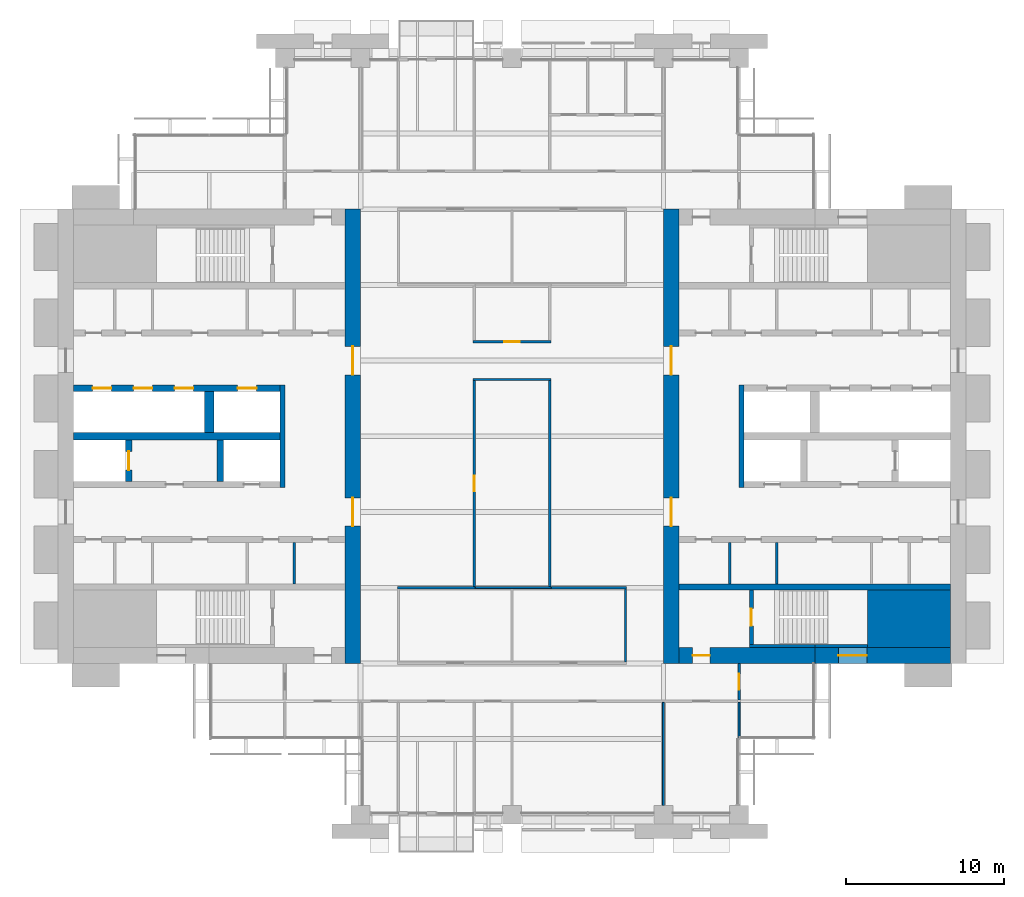
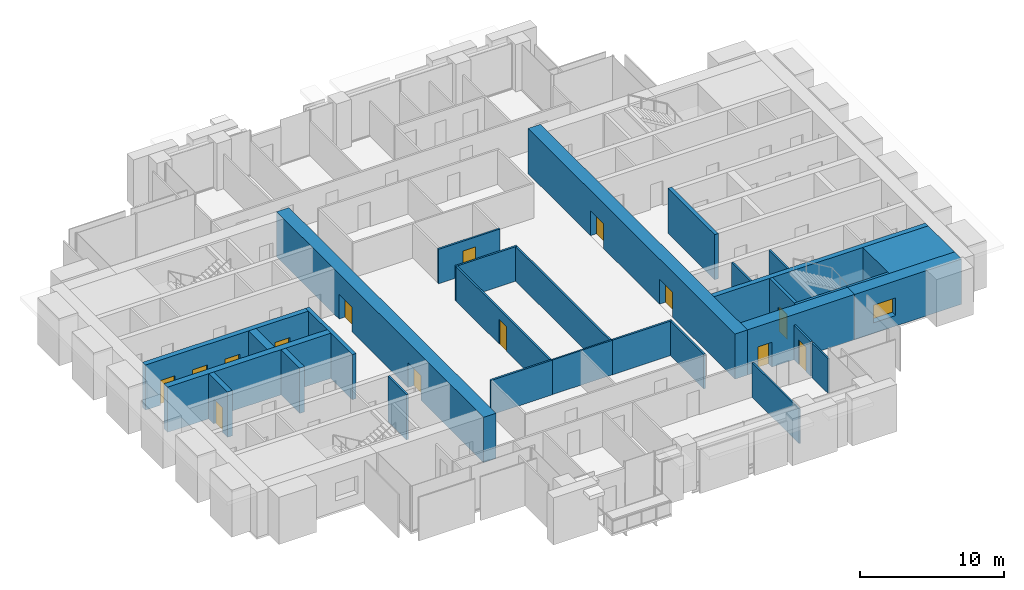
# One storey, part 10 of 15: 30 walls, 14 doors, 1 window, 15 openings.
"""IFC4 building model written with IfcOpenShell, lengths in metres."""

from ifc_helpers import new_model, si_unit, direction, frame, frame_2d, origin, place, context, subcontext, project, spatial, rectangle, extrude, material, layer, layer_set, type_object, element, fill, save


model = new_model("IFC4")

# Units and contexts
model_context = context("Model", 3, precision=1e-05, world=origin(), true_north=direction((0.0, 1.0)))
body_context = subcontext(model_context, "Body", "Model", "MODEL_VIEW")
ifc_project = project(units=[si_unit("LENGTHUNIT", "METRE"), si_unit("AREAUNIT", "SQUARE_METRE"), si_unit("VOLUMEUNIT", "CUBIC_METRE"), si_unit("PLANEANGLEUNIT", "RADIAN"), si_unit("MASSUNIT", "GRAM", prefix="KILO")], contexts=[model_context])

# Site, building, storey
site_placement = place(None, origin())
site = spatial("IfcSite", under=ifc_project, at=site_placement, CompositionType="ELEMENT")
building_placement = place(site_placement, origin())
building = spatial("IfcBuilding", under=site, at=building_placement, Name="Baori Bourse Tower", CompositionType="ELEMENT")
storey_placement = place(building_placement, frame((0.0, 0.0, 152.10009765625)))
storey = spatial("IfcBuildingStorey", under=building, at=storey_placement, Name="L33", CompositionType="ELEMENT", Elevation=152.10009765625)

# Walls
ifc_material_1 = material(Name="Concrete f'c 60 MPa", Category="concrete")
wall_type_1 = type_object("IfcWallType", Name="Core corner block f'c 60", PredefinedType="SHEAR", material=ifc_material_1)
wall_1_placement = place(storey_placement, frame((51.35009765625, 12.425048828125, 0.0), z_axis=(0.0, 0.0, 1.0), x_axis=(1.0, 0.0, 0.0)))
element("IfcWall", 1, at=wall_1_placement, inside=storey, type_object=wall_type_1, Name="Core wall E05", PredefinedType="SHEAR", context=body_context, shape_type="SweptSolid", body=[
    extrude(rectangle(XDim=5.25, YDim=3.64990234375, at=frame_2d((2.625, 0.0))), origin(), (0.0, 0.0, 1.0), 3.83984375),
])
ifc_material_2 = material(Name="Blockwork partition", Category="masonry")
ifc_layer_1 = layer(ifc_material_2, 0.14990234375)
ifc_layer_set_1 = layer_set([ifc_layer_1], Name="Core partition 150")
wall_type_2 = type_object("IfcWallType", Name="Core partition 150", PredefinedType="PARTITIONING", material=ifc_layer_set_1)
for number, where, z_axis, x_axis, name in (
    (2, (15.0, 14.64990234375, 0.0), (0.0, 0.0, 1.0), (0.0, 1.0, 0.0), "Partition wall W13"),
    (3, (45.60009765625, 14.64990234375, 0.0), (0.0, 0.0, 1.0), (0.0, 1.0, 0.0), "Partition wall E12"),
    (4, (42.60009765625, 14.64990234375, 0.0), (0.0, 0.0, 1.0), (0.0, 1.0, 0.0), "Partition wall E13"),
):
    element("IfcWall", number, at=place(storey_placement, frame(where, z_axis=z_axis, x_axis=x_axis)), inside=storey, type_object=wall_type_2, Name=name, PredefinedType="PARTITIONING", context=body_context, shape_type="SweptSolid", body=[
        extrude(rectangle(XDim=2.60009765625, YDim=0.14990234375, at=frame_2d((1.300048828125, 0.0))), origin(), (0.0, 0.0, 1.0), 3.83984375),
    ])

# Wall, openings, doors
ifc_material_3 = material(Name="Concrete f'c 60 MPa", Category="concrete")
ifc_layer_2 = layer(ifc_material_3, 1.0)
ifc_layer_set_2 = layer_set([ifc_layer_2], Name="Core wall 1000 f'c 60")
wall_type_3 = type_object("IfcWallType", Name="Core wall 1000 f'c 60", PredefinedType="SHEAR", material=ifc_layer_set_2)
wall_2_placement = place(storey_placement, frame((18.699951171875, 38.39990234375, 0.0), z_axis=(0.0, 0.0, 1.0), x_axis=(0.0, -1.0, 0.0)))
wall_2 = element("IfcWall", 5, at=wall_2_placement, inside=storey, type_object=wall_type_3, Name="Core wall W04", PredefinedType="SHEAR", context=body_context, shape_type="SweptSolid", body=[
    extrude(rectangle(XDim=28.7998046875, YDim=1.0, at=frame_2d((14.39990234375, 0.0))), origin(), (0.0, 0.0, 1.0), 3.83984375),
])
opening_1_placement = place(wall_2_placement, frame((18.300048828125, 0.0, 0.0)))
opening_1 = element("IfcOpeningElement", 6, at=opening_1_placement, cuts=wall_2, Name="Opening L33-D107", PredefinedType="OPENING", context=body_context, shape_type="SweptSolid", body=[
    extrude(rectangle(XDim=1.800048828125, YDim=2.10009765625, at=frame_2d((0.89990234375, 1.050048828125))), frame((0.0, 0.510009765625, 0.0), z_axis=(0.0, -1.0, 0.0), x_axis=(1.0, 0.0, 0.0)), (0.0, 0.0, 1.0), 1.02001953125),
])
opening_2_placement = place(wall_2_placement, frame((8.699951171875, 0.0, 0.0)))
opening_2 = element("IfcOpeningElement", 7, at=opening_2_placement, cuts=wall_2, Name="Opening L33-D108", PredefinedType="OPENING", context=body_context, shape_type="SweptSolid", body=[
    extrude(rectangle(XDim=1.800048828125, YDim=2.10009765625, at=frame_2d((0.89990234375, 1.050048828125))), frame((0.0, 0.510009765625, 0.0), z_axis=(0.0, -1.0, 0.0), x_axis=(1.0, 0.0, 0.0)), (0.0, 0.0, 1.0), 1.02001953125),
])
ifc_material_4 = material(Name="Painted steel door", Category="steel")
door_type_1 = type_object("IfcDoorType", Name="Core lobby door 1800", OperationType="DOUBLE_DOOR_SINGLE_SWING", PredefinedType="DOOR", material=ifc_material_4)
door_1_placement = place(opening_1_placement, origin())
door_1 = element("IfcDoor", 8, at=door_1_placement, inside=storey, type_object=door_type_1, Name="Lobby door W L33", OperationType="DOUBLE_DOOR_SINGLE_SWING", OverallHeight=2.10009765625, OverallWidth=1.800048828125, PredefinedType="DOOR", context=body_context, shape_type="SweptSolid", body=[
    extrude(rectangle(XDim=1.800048828125, YDim=2.10009765625, at=frame_2d((0.89990234375, 1.050048828125))), frame((0.0, 0.02490234375, 0.0), z_axis=(0.0, -1.0, 0.0), x_axis=(1.0, 0.0, 0.0)), (0.0, 0.0, 1.0), 0.050048828125),
])
fill(opening_1, door_1)
door_2_placement = place(opening_2_placement, origin())
door_2 = element("IfcDoor", 9, at=door_2_placement, inside=storey, type_object=door_type_1, Name="Lobby door W L33", OperationType="DOUBLE_DOOR_SINGLE_SWING", OverallHeight=2.10009765625, OverallWidth=1.800048828125, PredefinedType="DOOR", context=body_context, shape_type="SweptSolid", body=[
    extrude(rectangle(XDim=1.800048828125, YDim=2.10009765625, at=frame_2d((0.89990234375, 1.050048828125))), frame((0.0, 0.02490234375, 0.0), z_axis=(0.0, -1.0, 0.0), x_axis=(1.0, 0.0, 0.0)), (0.0, 0.0, 1.0), 0.050048828125),
])
fill(opening_2, door_2)

# Wall, opening, window
wall_3_placement = place(storey_placement, frame((56.60009765625, 10.10009765625, 0.0), z_axis=(0.0, 0.0, 1.0), x_axis=(-1.0, 0.0, 0.0)))
wall_3 = element("IfcWall", 10, at=wall_3_placement, inside=storey, type_object=wall_type_3, Name="Core wall E02", PredefinedType="SHEAR", context=body_context, shape_type="SweptSolid", body=[
    extrude(rectangle(XDim=8.60009765625, YDim=1.0, at=frame_2d((4.300048828125, 0.0))), origin(), (0.0, 0.0, 1.0), 3.83984375),
])
opening_3_placement = place(wall_3_placement, frame((5.300048828125, 0.0, 0.89990234375)))
opening_3 = element("IfcOpeningElement", 11, at=opening_3_placement, cuts=wall_3, Name="Opening L33-KW203", PredefinedType="OPENING", context=body_context, shape_type="SweptSolid", body=[
    extrude(rectangle(XDim=1.800048828125, YDim=1.5, at=frame_2d((0.89990234375, 0.75))), frame((0.0, 0.510009765625, 0.0), z_axis=(0.0, -1.0, 0.0), x_axis=(1.0, 0.0, 0.0)), (0.0, 0.0, 1.0), 1.02001953125),
])
ifc_material_5 = material(Name="Pale anodised aluminium", Category="aluminium")
window_type = type_object("IfcWindowType", Name="Stair window 1800 x 1500", PartitioningType="SINGLE_PANEL", PredefinedType="WINDOW", material=ifc_material_5)
window_placement = place(opening_3_placement, origin())
window = element("IfcWindow", 12, at=window_placement, inside=storey, type_object=window_type, Name="Stair window E L33 3", OverallHeight=1.5, OverallWidth=1.800048828125, PartitioningType="SINGLE_PANEL", PredefinedType="WINDOW", context=body_context, shape_type="SweptSolid", body=[
    extrude(rectangle(XDim=1.800048828125, YDim=1.5, at=frame_2d((0.89990234375, 0.75))), frame((0.0, 0.030029296875, 0.0), z_axis=(0.0, -1.0, 0.0), x_axis=(1.0, 0.0, 0.0)), (0.0, 0.0, 1.0), 0.06005859375),
])
fill(opening_3, window)

# Wall, opening, door
wall_4_placement = place(storey_placement, frame((48.0, 10.10009765625, 0.0), z_axis=(0.0, 0.0, 1.0), x_axis=(-1.0, 0.0, 0.0)))
wall_4 = element("IfcWall", 13, at=wall_4_placement, inside=storey, type_object=wall_type_3, Name="Core wall E03", PredefinedType="SHEAR", context=body_context, shape_type="SweptSolid", body=[
    extrude(rectangle(XDim=8.60009765625, YDim=1.0, at=frame_2d((4.300048828125, 0.0))), origin(), (0.0, 0.0, 1.0), 3.83984375),
])
opening_4_placement = place(wall_4_placement, frame((6.64990234375, 0.0, 0.0)))
opening_4 = element("IfcOpeningElement", 14, at=opening_4_placement, cuts=wall_4, Name="Opening L33-D202", PredefinedType="OPENING", context=body_context, shape_type="SweptSolid", body=[
    extrude(rectangle(XDim=1.10009765625, YDim=2.10009765625, at=frame_2d((0.550048828125, 1.050048828125))), frame((0.0, 0.510009765625, 0.0), z_axis=(0.0, -1.0, 0.0), x_axis=(1.0, 0.0, 0.0)), (0.0, 0.0, 1.0), 1.02001953125),
])
ifc_material_6 = material(Name="Painted steel door", Category="steel")
door_type_2 = type_object("IfcDoorType", Name="Stair door 1100", OperationType="SINGLE_SWING_LEFT", PredefinedType="DOOR", material=ifc_material_6)
door_3_placement = place(opening_4_placement, origin())
door_3 = element("IfcDoor", 15, at=door_3_placement, inside=storey, type_object=door_type_2, Name="Stair vestibule door A E L33", OperationType="SINGLE_SWING_LEFT", OverallHeight=2.10009765625, OverallWidth=1.10009765625, PredefinedType="DOOR", context=body_context, shape_type="SweptSolid", body=[
    extrude(rectangle(XDim=1.10009765625, YDim=2.10009765625, at=frame_2d((0.550048828125, 1.050048828125))), frame((0.0, 0.02490234375, 0.0), z_axis=(0.0, -1.0, 0.0), x_axis=(1.0, 0.0, 0.0)), (0.0, 0.0, 1.0), 0.050048828125),
])
fill(opening_4, door_3)

# Wall, openings, doors
wall_5_placement = place(storey_placement, frame((38.89990234375, 9.60009765625, 0.0), z_axis=(0.0, 0.0, 1.0), x_axis=(0.0, 1.0, 0.0)))
wall_5 = element("IfcWall", 16, at=wall_5_placement, inside=storey, type_object=wall_type_3, Name="Core wall E04", PredefinedType="SHEAR", context=body_context, shape_type="SweptSolid", body=[
    extrude(rectangle(XDim=28.7998046875, YDim=1.0, at=frame_2d((14.39990234375, 0.0))), origin(), (0.0, 0.0, 1.0), 3.83984375),
])
opening_5_placement = place(wall_5_placement, frame((8.699951171875, 0.0, 0.0)))
opening_5 = element("IfcOpeningElement", 17, at=opening_5_placement, cuts=wall_5, Name="Opening L33-D207", PredefinedType="OPENING", context=body_context, shape_type="SweptSolid", body=[
    extrude(rectangle(XDim=1.800048828125, YDim=2.10009765625, at=frame_2d((0.89990234375, 1.050048828125))), frame((0.0, 0.510009765625, 0.0), z_axis=(0.0, -1.0, 0.0), x_axis=(1.0, 0.0, 0.0)), (0.0, 0.0, 1.0), 1.02001953125),
])
opening_6_placement = place(wall_5_placement, frame((18.300048828125, 0.0, 0.0)))
opening_6 = element("IfcOpeningElement", 18, at=opening_6_placement, cuts=wall_5, Name="Opening L33-D208", PredefinedType="OPENING", context=body_context, shape_type="SweptSolid", body=[
    extrude(rectangle(XDim=1.800048828125, YDim=2.10009765625, at=frame_2d((0.89990234375, 1.050048828125))), frame((0.0, 0.510009765625, 0.0), z_axis=(0.0, -1.0, 0.0), x_axis=(1.0, 0.0, 0.0)), (0.0, 0.0, 1.0), 1.02001953125),
])
door_4_placement = place(opening_5_placement, origin())
door_4 = element("IfcDoor", 19, at=door_4_placement, inside=storey, type_object=door_type_1, Name="Lobby door E L33", OperationType="DOUBLE_DOOR_SINGLE_SWING", OverallHeight=2.10009765625, OverallWidth=1.800048828125, PredefinedType="DOOR", context=body_context, shape_type="SweptSolid", body=[
    extrude(rectangle(XDim=1.800048828125, YDim=2.10009765625, at=frame_2d((0.89990234375, 1.050048828125))), frame((0.0, 0.02490234375, 0.0), z_axis=(0.0, -1.0, 0.0), x_axis=(1.0, 0.0, 0.0)), (0.0, 0.0, 1.0), 0.050048828125),
])
fill(opening_5, door_4)
door_5_placement = place(opening_6_placement, origin())
door_5 = element("IfcDoor", 20, at=door_5_placement, inside=storey, type_object=door_type_1, Name="Lobby door E L33", OperationType="DOUBLE_DOOR_SINGLE_SWING", OverallHeight=2.10009765625, OverallWidth=1.800048828125, PredefinedType="DOOR", context=body_context, shape_type="SweptSolid", body=[
    extrude(rectangle(XDim=1.800048828125, YDim=2.10009765625, at=frame_2d((0.89990234375, 1.050048828125))), frame((0.0, 0.02490234375, 0.0), z_axis=(0.0, -1.0, 0.0), x_axis=(1.0, 0.0, 0.0)), (0.0, 0.0, 1.0), 0.050048828125),
])
fill(opening_6, door_5)

# Walls
ifc_material_7 = material(Name="Gypsum board partition")
ifc_layer_3 = layer(ifc_material_7, 0.14990234375)
ifc_layer_set_3 = layer_set([ifc_layer_3], Name="Corridor partition 150")
wall_type_4 = type_object("IfcWallType", Name="Corridor partition 150", PredefinedType="PARTITIONING", material=ifc_layer_set_3)
wall_6_placement = place(storey_placement, frame((21.52490234375, 14.39990234375, 0.0), z_axis=(0.0, 0.0, 1.0), x_axis=(1.0, 0.0, 0.0)))
element("IfcWall", 21, at=wall_6_placement, inside=storey, type_object=wall_type_4, Name="Partition", PredefinedType="PARTITIONING", context=body_context, shape_type="SweptSolid", body=[
    extrude(rectangle(XDim=4.9501953125, YDim=0.14990234375, at=frame_2d((2.47509765625, 0.0))), origin(), (0.0, 0.0, 1.0), 2.935546875),
])
wall_7_placement = place(storey_placement, frame((31.27490234375, 14.39990234375, 0.0), z_axis=(0.0, 0.0, 1.0), x_axis=(1.0, 0.0, 0.0)))
element("IfcWall", 22, at=wall_7_placement, inside=storey, type_object=wall_type_4, Name="Partition", PredefinedType="PARTITIONING", context=body_context, shape_type="SweptSolid", body=[
    extrude(rectangle(XDim=4.800048828125, YDim=0.14990234375, at=frame_2d((2.39990234375, 0.0))), origin(), (0.0, 0.0, 1.0), 2.935546875),
])
wall_8_placement = place(storey_placement, frame((26.324951171875, 27.60009765625, 0.0), z_axis=(0.0, 0.0, 1.0), x_axis=(1.0, 0.0, 0.0)))
element("IfcWall", 23, at=wall_8_placement, inside=storey, type_object=wall_type_4, Name="Partition", PredefinedType="PARTITIONING", context=body_context, shape_type="SweptSolid", body=[
    extrude(rectangle(XDim=4.949951171875, YDim=0.14990234375, at=frame_2d((2.47509765625, 0.0))), origin(), (0.0, 0.0, 1.0), 2.935546875),
])

# Wall, opening, door
wall_9_placement = place(storey_placement, frame((26.324951171875, 30.0, 0.0), z_axis=(0.0, 0.0, 1.0), x_axis=(1.0, 0.0, 0.0)))
wall_9 = element("IfcWall", 24, at=wall_9_placement, inside=storey, type_object=wall_type_4, Name="Partition", PredefinedType="PARTITIONING", context=body_context, shape_type="SweptSolid", body=[
    extrude(rectangle(XDim=4.949951171875, YDim=0.14990234375, at=frame_2d((2.47509765625, 0.0))), origin(), (0.0, 0.0, 1.0), 2.935546875),
])
opening_7_placement = place(wall_9_placement, frame((1.97509765625, 0.0, 0.0)))
opening_7 = element("IfcOpeningElement", 25, at=opening_7_placement, cuts=wall_9, Name="Opening L33-D09", PredefinedType="OPENING", context=body_context, shape_type="SweptSolid", body=[
    extrude(rectangle(XDim=1.0, YDim=2.10009765625, at=frame_2d((0.5, 1.050048828125))), frame((0.0, 0.0849609375, 0.0), z_axis=(0.0, -1.0, 0.0), x_axis=(1.0, 0.0, 0.0)), (0.0, 0.0, 1.0), 0.169921875),
])
ifc_material_8 = material(Name="Timber door leaf", Category="wood")
door_type_3 = type_object("IfcDoorType", Name="Door 1000 x 2100", OperationType="SINGLE_SWING_LEFT", PredefinedType="DOOR", material=ifc_material_8)
door_6_placement = place(opening_7_placement, origin())
door_6 = element("IfcDoor", 26, at=door_6_placement, inside=storey, type_object=door_type_3, Name="Door", OperationType="SINGLE_SWING_LEFT", OverallHeight=2.10009765625, OverallWidth=1.0, PredefinedType="DOOR", context=body_context, shape_type="SweptSolid", body=[
    extrude(rectangle(XDim=1.0, YDim=2.10009765625, at=frame_2d((0.5, 1.050048828125))), frame((0.0, 0.02490234375, 0.0), z_axis=(0.0, -1.0, 0.0), x_axis=(1.0, 0.0, 0.0)), (0.0, 0.0, 1.0), 0.050048828125),
])
fill(opening_7, door_6)

wall_10_placement = place(storey_placement, frame((26.39990234375, 14.47509765625, 0.0), z_axis=(0.0, 0.0, 1.0), x_axis=(0.0, 1.0, 0.0)))
wall_10 = element("IfcWall", 27, at=wall_10_placement, inside=storey, type_object=wall_type_4, Name="Partition", PredefinedType="PARTITIONING", context=body_context, shape_type="SweptSolid", body=[
    extrude(rectangle(XDim=13.0498046875, YDim=0.14990234375, at=frame_2d((6.52490234375, 0.0))), origin(), (0.0, 0.0, 1.0), 2.935546875),
])
opening_8_placement = place(wall_10_placement, frame((6.02490234375, 0.0, 0.0)))
opening_8 = element("IfcOpeningElement", 28, at=opening_8_placement, cuts=wall_10, Name="Opening L33-D23", PredefinedType="OPENING", context=body_context, shape_type="SweptSolid", body=[
    extrude(rectangle(XDim=1.0, YDim=2.10009765625, at=frame_2d((0.5, 1.050048828125))), frame((0.0, 0.0849609375, 0.0), z_axis=(0.0, -1.0, 0.0), x_axis=(1.0, 0.0, 0.0)), (0.0, 0.0, 1.0), 0.169921875),
])
door_7_placement = place(opening_8_placement, origin())
door_7 = element("IfcDoor", 29, at=door_7_placement, inside=storey, type_object=door_type_3, Name="Door", OperationType="SINGLE_SWING_RIGHT", OverallHeight=2.10009765625, OverallWidth=1.0, PredefinedType="DOOR", context=body_context, shape_type="SweptSolid", body=[
    extrude(rectangle(XDim=1.0, YDim=2.10009765625, at=frame_2d((0.5, 1.050048828125))), frame((0.0, 0.02490234375, 0.0), z_axis=(0.0, -1.0, 0.0), x_axis=(1.0, 0.0, 0.0)), (0.0, 0.0, 1.0), 0.050048828125),
])
fill(opening_8, door_7)

# Walls
wall_11_placement = place(storey_placement, frame((31.199951171875, 14.47509765625, 0.0), z_axis=(0.0, 0.0, 1.0), x_axis=(0.0, 1.0, 0.0)))
element("IfcWall", 30, at=wall_11_placement, inside=storey, type_object=wall_type_4, Name="Partition", PredefinedType="PARTITIONING", context=body_context, shape_type="SweptSolid", body=[
    extrude(rectangle(XDim=13.0498046875, YDim=0.14990234375, at=frame_2d((6.52490234375, 0.0))), origin(), (0.0, 0.0, 1.0), 2.935546875),
])
wall_12_placement = place(storey_placement, frame((36.0, 9.675048828125, 0.0), z_axis=(0.0, 0.0, 1.0), x_axis=(0.0, 1.0, 0.0)))
element("IfcWall", 31, at=wall_12_placement, inside=storey, type_object=wall_type_4, Name="Partition", PredefinedType="PARTITIONING", context=body_context, shape_type="SweptSolid", body=[
    extrude(rectangle(XDim=4.64990234375, YDim=0.14990234375, at=frame_2d((2.324951171875, 0.0))), origin(), (0.0, 0.0, 1.0), 2.935546875),
])

# Wall, opening, door
wall_13_placement = place(storey_placement, frame((43.199951171875, 7.27490234375, 0.0), z_axis=(0.0, 0.0, 1.0), x_axis=(0.0, 1.0, 0.0)))
wall_13 = element("IfcWall", 32, at=wall_13_placement, inside=storey, type_object=wall_type_4, Name="Partition", PredefinedType="PARTITIONING", context=body_context, shape_type="SweptSolid", body=[
    extrude(rectangle(XDim=2.3251953125, YDim=0.14990234375, at=frame_2d((1.16259765625, 0.0))), origin(), (0.0, 0.0, 1.0), 2.935546875),
])
opening_9_placement = place(wall_13_placement, frame((0.66259765625, 0.0, 0.0)))
opening_9 = element("IfcOpeningElement", 33, at=opening_9_placement, cuts=wall_13, Name="Opening L33-D24", PredefinedType="OPENING", context=body_context, shape_type="SweptSolid", body=[
    extrude(rectangle(XDim=1.0, YDim=2.10009765625, at=frame_2d((0.5, 1.050048828125))), frame((0.0, 0.0849609375, 0.0), z_axis=(0.0, -1.0, 0.0), x_axis=(1.0, 0.0, 0.0)), (0.0, 0.0, 1.0), 0.169921875),
])
door_8_placement = place(opening_9_placement, origin())
door_8 = element("IfcDoor", 34, at=door_8_placement, inside=storey, type_object=door_type_3, Name="Door", OperationType="SINGLE_SWING_LEFT", OverallHeight=2.10009765625, OverallWidth=1.0, PredefinedType="DOOR", context=body_context, shape_type="SweptSolid", body=[
    extrude(rectangle(XDim=1.0, YDim=2.10009765625, at=frame_2d((0.5, 1.050048828125))), frame((0.0, 0.02490234375, 0.0), z_axis=(0.0, -1.0, 0.0), x_axis=(1.0, 0.0, 0.0)), (0.0, 0.0, 1.0), 0.050048828125),
])
fill(opening_9, door_8)

# Walls
ifc_material_9 = material(Name="Gypsum board partition")
ifc_layer_4 = layer(ifc_material_9, 0.125)
ifc_layer_set_4 = layer_set([ifc_layer_4], Name="Partition 125")
wall_type_5 = type_object("IfcWallType", Name="Partition 125", PredefinedType="PARTITIONING", material=ifc_layer_set_4)
wall_14_placement = place(storey_placement, frame((26.47509765625, 14.39990234375, 0.0), z_axis=(0.0, 0.0, 1.0), x_axis=(1.0, 0.0, 0.0)))
element("IfcWall", 35, at=wall_14_placement, inside=storey, type_object=wall_type_5, Name="Partition", PredefinedType="PARTITIONING", context=body_context, shape_type="SweptSolid", body=[
    extrude(rectangle(XDim=4.7998046875, YDim=0.125, at=frame_2d((2.39990234375, 0.0))), origin(), (0.0, 0.0, 1.0), 2.935546875),
])
wall_15_placement = place(storey_placement, frame((38.39990234375, 0.60009765625, 0.0), z_axis=(0.0, 0.0, 1.0), x_axis=(0.0, 1.0, 0.0)))
element("IfcWall", 36, at=wall_15_placement, inside=storey, type_object=wall_type_5, Name="Partition", PredefinedType="PARTITIONING", context=body_context, shape_type="SweptSolid", body=[
    extrude(rectangle(XDim=6.52490234375, YDim=0.125, at=frame_2d((3.262451171875, 0.0))), origin(), (0.0, 0.0, 1.0), 2.935546875),
])
wall_16_placement = place(storey_placement, frame((43.199951171875, 4.89990234375, 0.0), z_axis=(0.0, 0.0, 1.0), x_axis=(0.0, 1.0, 0.0)))
element("IfcWall", 37, at=wall_16_placement, inside=storey, type_object=wall_type_5, Name="Partition", PredefinedType="PARTITIONING", context=body_context, shape_type="SweptSolid", body=[
    extrude(rectangle(XDim=2.22509765625, YDim=0.125, at=frame_2d((1.112548828125, 0.0))), origin(), (0.0, 0.0, 1.0), 2.935546875),
])
ifc_material_10 = material(Name="Concrete f'c 60 MPa", Category="concrete")
ifc_layer_5 = layer(ifc_material_10, 0.199951171875)
ifc_layer_set_5 = layer_set([ifc_layer_5], Name="Shaft wall 200 f'c 60")
wall_type_6 = type_object("IfcWallType", Name="Shaft wall 200 f'c 60", PredefinedType="SHEAR", material=ifc_layer_set_5)
wall_17_placement = place(storey_placement, frame((48.0, 10.699951171875, 0.0), z_axis=(0.0, 0.0, 1.0), x_axis=(1.0, 0.0, 0.0)))
element("IfcWall", 38, at=wall_17_placement, inside=storey, type_object=wall_type_6, Name="Core wall E06", PredefinedType="SHEAR", context=body_context, shape_type="SweptSolid", body=[
    extrude(rectangle(XDim=3.35009765625, YDim=0.199951171875, at=frame_2d((1.675048828125, 0.0))), origin(), (0.0, 0.0, 1.0), 3.83984375),
])
wall_18_placement = place(storey_placement, frame((43.85009765625, 10.699951171875, 0.0), z_axis=(0.0, 0.0, 1.0), x_axis=(1.0, 0.0, 0.0)))
element("IfcWall", 39, at=wall_18_placement, inside=storey, type_object=wall_type_6, Name="Core wall E07", PredefinedType="SHEAR", context=body_context, shape_type="SweptSolid", body=[
    extrude(rectangle(XDim=4.14990234375, YDim=0.199951171875, at=frame_2d((2.074951171875, 0.0))), origin(), (0.0, 0.0, 1.0), 3.83984375),
])

# Wall, opening, door
ifc_material_11 = material(Name="Concrete f'c 60 MPa", Category="concrete")
ifc_layer_6 = layer(ifc_material_11, 0.25)
ifc_layer_set_6 = layer_set([ifc_layer_6], Name="Shaft wall 250 f'c 60")
wall_type_7 = type_object("IfcWallType", Name="Shaft wall 250 f'c 60", PredefinedType="SHEAR", material=ifc_layer_set_6)
wall_19_placement = place(storey_placement, frame((43.97509765625, 10.800048828125, 0.0), z_axis=(0.0, 0.0, 1.0), x_axis=(0.0, 1.0, 0.0)))
wall_19 = element("IfcWall", 40, at=wall_19_placement, inside=storey, type_object=wall_type_7, Name="Core wall E08", PredefinedType="SHEAR", context=body_context, shape_type="SweptSolid", body=[
    extrude(rectangle(XDim=3.449951171875, YDim=0.25, at=frame_2d((1.72509765625, 0.0))), origin(), (0.0, 0.0, 1.0), 3.83984375),
])
opening_10_placement = place(wall_19_placement, frame((1.175048828125, 0.0, 0.0)))
opening_10 = element("IfcOpeningElement", 41, at=opening_10_placement, cuts=wall_19, Name="Opening L33-D201", PredefinedType="OPENING", context=body_context, shape_type="SweptSolid", body=[
    extrude(rectangle(XDim=1.10009765625, YDim=2.10009765625, at=frame_2d((0.550048828125, 1.050048828125))), frame((0.0, 0.135009765625, 0.0), z_axis=(0.0, -1.0, 0.0), x_axis=(1.0, 0.0, 0.0)), (0.0, 0.0, 1.0), 0.27001953125),
])
door_9_placement = place(opening_10_placement, origin())
door_9 = element("IfcDoor", 42, at=door_9_placement, inside=storey, type_object=door_type_2, Name="Stair door A E L33", OperationType="SINGLE_SWING_LEFT", OverallHeight=2.10009765625, OverallWidth=1.10009765625, PredefinedType="DOOR", context=body_context, shape_type="SweptSolid", body=[
    extrude(rectangle(XDim=1.10009765625, YDim=2.10009765625, at=frame_2d((0.550048828125, 1.050048828125))), frame((0.0, 0.02490234375, 0.0), z_axis=(0.0, -1.0, 0.0), x_axis=(1.0, 0.0, 0.0)), (0.0, 0.0, 1.0), 0.050048828125),
])
fill(opening_10, door_9)

# Walls
ifc_material_12 = material(Name="Concrete f'c 60 MPa", Category="concrete")
ifc_layer_7 = layer(ifc_material_12, 0.300048828125)
ifc_layer_set_7 = layer_set([ifc_layer_7], Name="Shaft wall 300 f'c 60")
wall_type_8 = type_object("IfcWallType", Name="Shaft wall 300 f'c 60", PredefinedType="SHEAR", material=ifc_layer_set_7)
for number, where, z_axis, x_axis, name in (
    (43, (14.25, 20.75, 0.0), (0.0, 0.0, 1.0), (0.0, 1.0, 0.0), "Core wall W16"),
    (44, (43.35009765625, 20.75, 0.0), (0.0, 0.0, 1.0), (0.0, 1.0, 0.0), "Core wall E16"),
):
    element("IfcWall", number, at=place(storey_placement, frame(where, z_axis=z_axis, x_axis=x_axis)), inside=storey, type_object=wall_type_8, Name=name, PredefinedType="SHEAR", context=body_context, shape_type="SweptSolid", body=[
        extrude(rectangle(XDim=6.5, YDim=0.300048828125, at=frame_2d((3.25, 0.0))), origin(), (0.0, 0.0, 1.0), 3.83984375),
    ])

# Wall, opening, door
ifc_material_13 = material(Name="Concrete f'c 60 MPa", Category="concrete")
ifc_layer_8 = layer(ifc_material_13, 0.39990234375)
ifc_layer_set_8 = layer_set([ifc_layer_8], Name="Shaft wall 400 f'c 60")
wall_type_9 = type_object("IfcWallType", Name="Shaft wall 400 f'c 60", PredefinedType="SHEAR", material=ifc_layer_set_8)
wall_20_placement = place(storey_placement, frame((4.5, 21.14990234375, 0.0), z_axis=(0.0, 0.0, 1.0), x_axis=(0.0, 1.0, 0.0)))
wall_20 = element("IfcWall", 45, at=wall_20_placement, inside=storey, type_object=wall_type_9, Name="Core wall W17", PredefinedType="SHEAR", context=body_context, shape_type="SweptSolid", body=[
    extrude(rectangle(XDim=2.60009765625, YDim=0.39990234375, at=frame_2d((1.300048828125, 0.0))), origin(), (0.0, 0.0, 1.0), 3.83984375),
])
opening_11_placement = place(wall_20_placement, frame((0.699951171875, 0.0, 0.0)))
opening_11 = element("IfcOpeningElement", 46, at=opening_11_placement, cuts=wall_20, Name="Opening L33-D123", PredefinedType="OPENING", context=body_context, shape_type="SweptSolid", body=[
    extrude(rectangle(XDim=1.199951171875, YDim=2.10009765625, at=frame_2d((0.60009765625, 1.050048828125))), frame((0.0, 0.2099609375, 0.0), z_axis=(0.0, -1.0, 0.0), x_axis=(1.0, 0.0, 0.0)), (0.0, 0.0, 1.0), 0.419921875),
])
ifc_material_14 = material(Name="Stainless steel door", Category="steel")
door_type_4 = type_object("IfcDoorType", Name="Lift landing door", OperationType="DOUBLE_DOOR_SLIDING", PredefinedType="DOOR", material=ifc_material_14)
door_10_placement = place(opening_11_placement, origin())
door_10 = element("IfcDoor", 47, at=door_10_placement, inside=storey, type_object=door_type_4, Name="Lift landing door FF1 W L33", OperationType="DOUBLE_DOOR_SLIDING", OverallHeight=2.10009765625, OverallWidth=1.199951171875, PredefinedType="DOOR", context=body_context, shape_type="SweptSolid", body=[
    extrude(rectangle(XDim=1.199951171875, YDim=2.10009765625, at=frame_2d((0.60009765625, 1.050048828125))), frame((0.0, 0.02490234375, 0.0), z_axis=(0.0, -1.0, 0.0), x_axis=(1.0, 0.0, 0.0)), (0.0, 0.0, 1.0), 0.050048828125),
])
fill(opening_11, door_10)

# Wall
wall_21_placement = place(storey_placement, frame((10.300048828125, 21.14990234375, 0.0), z_axis=(0.0, 0.0, 1.0), x_axis=(0.0, 1.0, 0.0)))
element("IfcWall", 48, at=wall_21_placement, inside=storey, type_object=wall_type_9, Name="Core wall W18", PredefinedType="SHEAR", context=body_context, shape_type="SweptSolid", body=[
    extrude(rectangle(XDim=2.60009765625, YDim=0.39990234375, at=frame_2d((1.300048828125, 0.0))), origin(), (0.0, 0.0, 1.0), 3.83984375),
])

# Wall, openings, doors
wall_22_placement = place(storey_placement, frame((1.0, 27.050048828125, 0.0), z_axis=(0.0, 0.0, 1.0), x_axis=(1.0, 0.0, 0.0)))
wall_22 = element("IfcWall", 49, at=wall_22_placement, inside=storey, type_object=wall_type_9, Name="Core wall W21", PredefinedType="SHEAR", context=body_context, shape_type="SweptSolid", body=[
    extrude(rectangle(XDim=13.10009765625, YDim=0.39990234375, at=frame_2d((6.550048828125, 0.0))), origin(), (0.0, 0.0, 1.0), 3.83984375),
])
opening_12_placement = place(wall_22_placement, frame((1.199951171875, 0.0, 0.0)))
opening_12 = element("IfcOpeningElement", 50, at=opening_12_placement, cuts=wall_22, Name="Opening L33-D119", PredefinedType="OPENING", context=body_context, shape_type="SweptSolid", body=[
    extrude(rectangle(XDim=1.199951171875, YDim=2.10009765625, at=frame_2d((0.60009765625, 1.050048828125))), frame((0.0, 0.2099609375, 0.0), z_axis=(0.0, -1.0, 0.0), x_axis=(1.0, 0.0, 0.0)), (0.0, 0.0, 1.0), 0.419921875),
])
opening_13_placement = place(wall_22_placement, frame((3.800048828125, 0.0, 0.0)))
opening_13 = element("IfcOpeningElement", 51, at=opening_13_placement, cuts=wall_22, Name="Opening L33-D120", PredefinedType="OPENING", context=body_context, shape_type="SweptSolid", body=[
    extrude(rectangle(XDim=1.199951171875, YDim=2.10009765625, at=frame_2d((0.60009765625, 1.050048828125))), frame((0.0, 0.2099609375, 0.0), z_axis=(0.0, -1.0, 0.0), x_axis=(1.0, 0.0, 0.0)), (0.0, 0.0, 1.0), 0.419921875),
])
opening_14_placement = place(wall_22_placement, frame((6.39990234375, 0.0, 0.0)))
opening_14 = element("IfcOpeningElement", 52, at=opening_14_placement, cuts=wall_22, Name="Opening L33-D121", PredefinedType="OPENING", context=body_context, shape_type="SweptSolid", body=[
    extrude(rectangle(XDim=1.199951171875, YDim=2.10009765625, at=frame_2d((0.60009765625, 1.050048828125))), frame((0.0, 0.2099609375, 0.0), z_axis=(0.0, -1.0, 0.0), x_axis=(1.0, 0.0, 0.0)), (0.0, 0.0, 1.0), 0.419921875),
])
opening_15_placement = place(wall_22_placement, frame((10.39990234375, 0.0, 0.0)))
opening_15 = element("IfcOpeningElement", 53, at=opening_15_placement, cuts=wall_22, Name="Opening L33-D122", PredefinedType="OPENING", context=body_context, shape_type="SweptSolid", body=[
    extrude(rectangle(XDim=1.199951171875, YDim=2.10009765625, at=frame_2d((0.60009765625, 1.050048828125))), frame((0.0, 0.2099609375, 0.0), z_axis=(0.0, -1.0, 0.0), x_axis=(1.0, 0.0, 0.0)), (0.0, 0.0, 1.0), 0.419921875),
])
door_11_placement = place(opening_12_placement, origin())
door_11 = element("IfcDoor", 54, at=door_11_placement, inside=storey, type_object=door_type_4, Name="Lift landing door SH1 W L33", OperationType="DOUBLE_DOOR_SLIDING", OverallHeight=2.10009765625, OverallWidth=1.199951171875, PredefinedType="DOOR", context=body_context, shape_type="SweptSolid", body=[
    extrude(rectangle(XDim=1.199951171875, YDim=2.10009765625, at=frame_2d((0.60009765625, 1.050048828125))), frame((0.0, 0.02490234375, 0.0), z_axis=(0.0, -1.0, 0.0), x_axis=(1.0, 0.0, 0.0)), (0.0, 0.0, 1.0), 0.050048828125),
])
fill(opening_12, door_11)
door_12_placement = place(opening_13_placement, origin())
door_12 = element("IfcDoor", 55, at=door_12_placement, inside=storey, type_object=door_type_4, Name="Lift landing door SH2 W L33", OperationType="DOUBLE_DOOR_SLIDING", OverallHeight=2.10009765625, OverallWidth=1.199951171875, PredefinedType="DOOR", context=body_context, shape_type="SweptSolid", body=[
    extrude(rectangle(XDim=1.199951171875, YDim=2.10009765625, at=frame_2d((0.60009765625, 1.050048828125))), frame((0.0, 0.02490234375, 0.0), z_axis=(0.0, -1.0, 0.0), x_axis=(1.0, 0.0, 0.0)), (0.0, 0.0, 1.0), 0.050048828125),
])
fill(opening_13, door_12)
door_13_placement = place(opening_14_placement, origin())
door_13 = element("IfcDoor", 56, at=door_13_placement, inside=storey, type_object=door_type_4, Name="Lift landing door SH3 W L33", OperationType="DOUBLE_DOOR_SLIDING", OverallHeight=2.10009765625, OverallWidth=1.199951171875, PredefinedType="DOOR", context=body_context, shape_type="SweptSolid", body=[
    extrude(rectangle(XDim=1.199951171875, YDim=2.10009765625, at=frame_2d((0.60009765625, 1.050048828125))), frame((0.0, 0.02490234375, 0.0), z_axis=(0.0, -1.0, 0.0), x_axis=(1.0, 0.0, 0.0)), (0.0, 0.0, 1.0), 0.050048828125),
])
fill(opening_14, door_13)
door_14_placement = place(opening_15_placement, origin())
door_14 = element("IfcDoor", 57, at=door_14_placement, inside=storey, type_object=door_type_4, Name="Lift landing door SV1 W L33", OperationType="DOUBLE_DOOR_SLIDING", OverallHeight=2.10009765625, OverallWidth=1.199951171875, PredefinedType="DOOR", context=body_context, shape_type="SweptSolid", body=[
    extrude(rectangle(XDim=1.199951171875, YDim=2.10009765625, at=frame_2d((0.60009765625, 1.050048828125))), frame((0.0, 0.02490234375, 0.0), z_axis=(0.0, -1.0, 0.0), x_axis=(1.0, 0.0, 0.0)), (0.0, 0.0, 1.0), 0.050048828125),
])
fill(opening_15, door_14)

# Walls
wall_23_placement = place(storey_placement, frame((39.39990234375, 14.449951171875, 0.0), z_axis=(0.0, 0.0, 1.0), x_axis=(1.0, 0.0, 0.0)))
element("IfcWall", 58, at=wall_23_placement, inside=storey, type_object=wall_type_9, Name="Core wall E09", PredefinedType="SHEAR", context=body_context, shape_type="SweptSolid", body=[
    extrude(rectangle(XDim=17.2001953125, YDim=0.39990234375, at=frame_2d((8.60009765625, 0.0))), origin(), (0.0, 0.0, 1.0), 3.83984375),
])
ifc_material_15 = material(Name="Concrete f'c 60 MPa", Category="concrete")
ifc_layer_9 = layer(ifc_material_15, 0.5)
ifc_layer_set_9 = layer_set([ifc_layer_9], Name="Shaft wall 500 f'c 60")
wall_type_10 = type_object("IfcWallType", Name="Shaft wall 500 f'c 60", PredefinedType="SHEAR", material=ifc_layer_set_9)
wall_24_placement = place(storey_placement, frame((1.0, 24.0, 0.0), z_axis=(0.0, 0.0, 1.0), x_axis=(1.0, 0.0, 0.0)))
element("IfcWall", 59, at=wall_24_placement, inside=storey, type_object=wall_type_10, Name="Core wall W19", PredefinedType="SHEAR", context=body_context, shape_type="SweptSolid", body=[
    extrude(rectangle(XDim=13.10009765625, YDim=0.5, at=frame_2d((6.550048828125, 0.0))), origin(), (0.0, 0.0, 1.0), 3.83984375),
])
ifc_material_16 = material(Name="Concrete f'c 60 MPa", Category="concrete")
ifc_layer_10 = layer(ifc_material_16, 0.60009765625)
ifc_layer_set_10 = layer_set([ifc_layer_10], Name="Shaft wall 600 f'c 60")
wall_type_11 = type_object("IfcWallType", Name="Shaft wall 600 f'c 60", PredefinedType="SHEAR", material=ifc_layer_set_10)
wall_25_placement = place(storey_placement, frame((9.60009765625, 24.25, 0.0), z_axis=(0.0, 0.0, 1.0), x_axis=(0.0, 1.0, 0.0)))
element("IfcWall", 60, at=wall_25_placement, inside=storey, type_object=wall_type_11, Name="Core wall W20", PredefinedType="SHEAR", context=body_context, shape_type="SweptSolid", body=[
    extrude(rectangle(XDim=2.60009765625, YDim=0.60009765625, at=frame_2d((1.300048828125, 0.0))), origin(), (0.0, 0.0, 1.0), 3.83984375),
])

save(model, "model.ifc")
